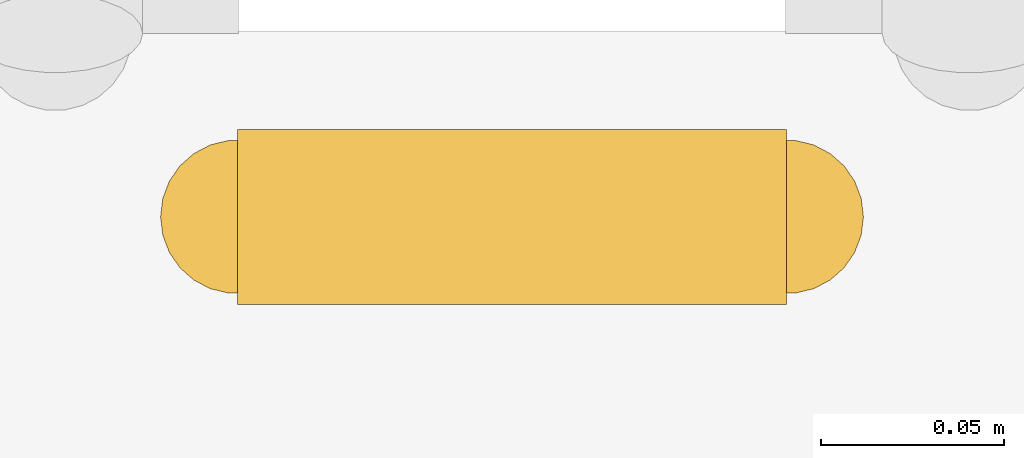
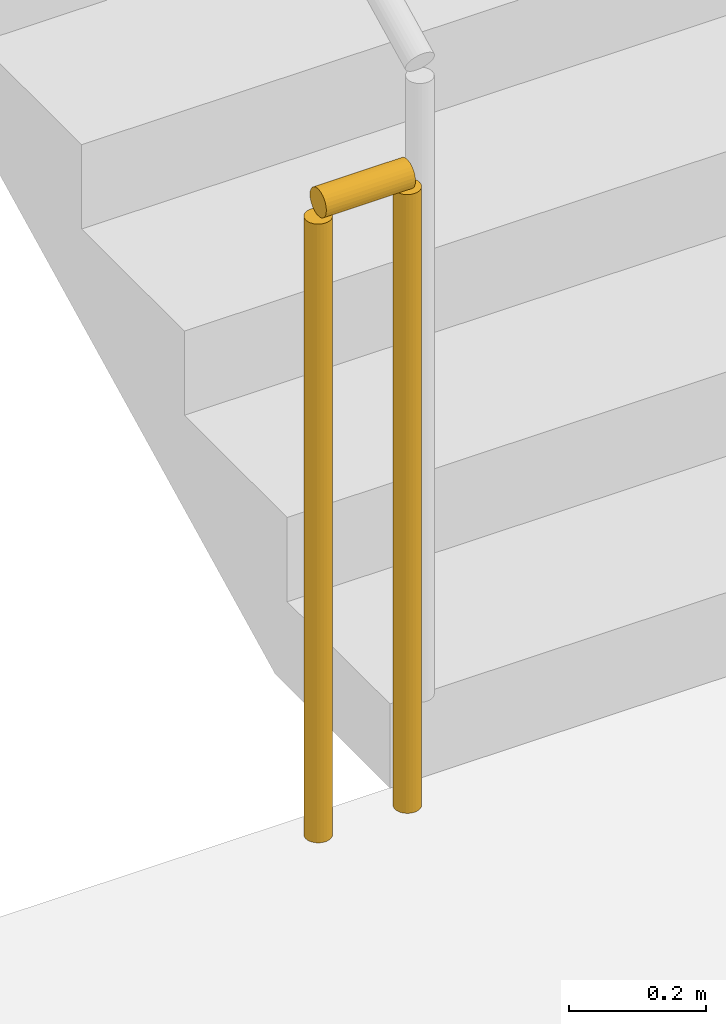
# One storey, part 36 of 43: 1 railing.
"""IFC4 building model written with IfcOpenShell, lengths in metres."""

from ifc_helpers import new_model, si_unit, direction, frame, origin, origin_2d, place, context, subcontext, project, spatial, circle, extrude, material, type_object, element, save


model = new_model("IFC4")

# Units and contexts
model_context = context("Model", 3, precision=1e-05, world=origin(), true_north=direction((0.0, 1.0)))
body_context = subcontext(model_context, "Body", "Model", "MODEL_VIEW")
ifc_project = project(units=[si_unit("LENGTHUNIT", "METRE"), si_unit("AREAUNIT", "SQUARE_METRE"), si_unit("VOLUMEUNIT", "CUBIC_METRE"), si_unit("PLANEANGLEUNIT", "RADIAN"), si_unit("MASSUNIT", "GRAM", prefix="KILO")], contexts=[model_context])

# Site, building, storey
site_placement = place(None, origin())
site = spatial("IfcSite", under=ifc_project, at=site_placement, CompositionType="ELEMENT")
building_placement = place(site_placement, origin())
building = spatial("IfcBuilding", under=site, at=building_placement, Name="Punatoya Terracotta Tower", CompositionType="ELEMENT")
storey_placement = place(building_placement, frame((0.0, 0.0, 6.0)))
storey = spatial("IfcBuildingStorey", under=building, at=storey_placement, Name="L01", CompositionType="ELEMENT", Elevation=6.0)

# Railing
ifc_material = material(Name="Steel S355", Category="steel")
railing_type = type_object("IfcRailingType", Name="RLG-GRD-1150", PredefinedType="GUARDRAIL", material=ifc_material)
railing_placement = place(storey_placement, frame((8.050048828125, -3.85009765625, 0.0)))
element("IfcRailing", 1, at=railing_placement, inside=storey, type_object=railing_type, Name="L01 ST-2 stair guard 4", PredefinedType="GUARDRAIL", context=body_context, shape_type="SweptSolid", body=[
    extrude(circle(Radius=0.02392578125, at=origin_2d()), frame((0.0, 0.0, 1.1259765625), z_axis=(-1.0, 0.0, 0.0), x_axis=(0.0, -1.0, 0.0)), (0.0, 0.0, 1.0), 0.150146484375),
    extrude(circle(Radius=0.02099609375, at=origin_2d()), origin(), (0.0, 0.0, 1.0), 1.101806640625),
    extrude(circle(Radius=0.02099609375, at=origin_2d()), frame((-0.150146484375, 0.0, 0.0)), (0.0, 0.0, 1.0), 1.101806640625),
])

save(model, "model.ifc")
